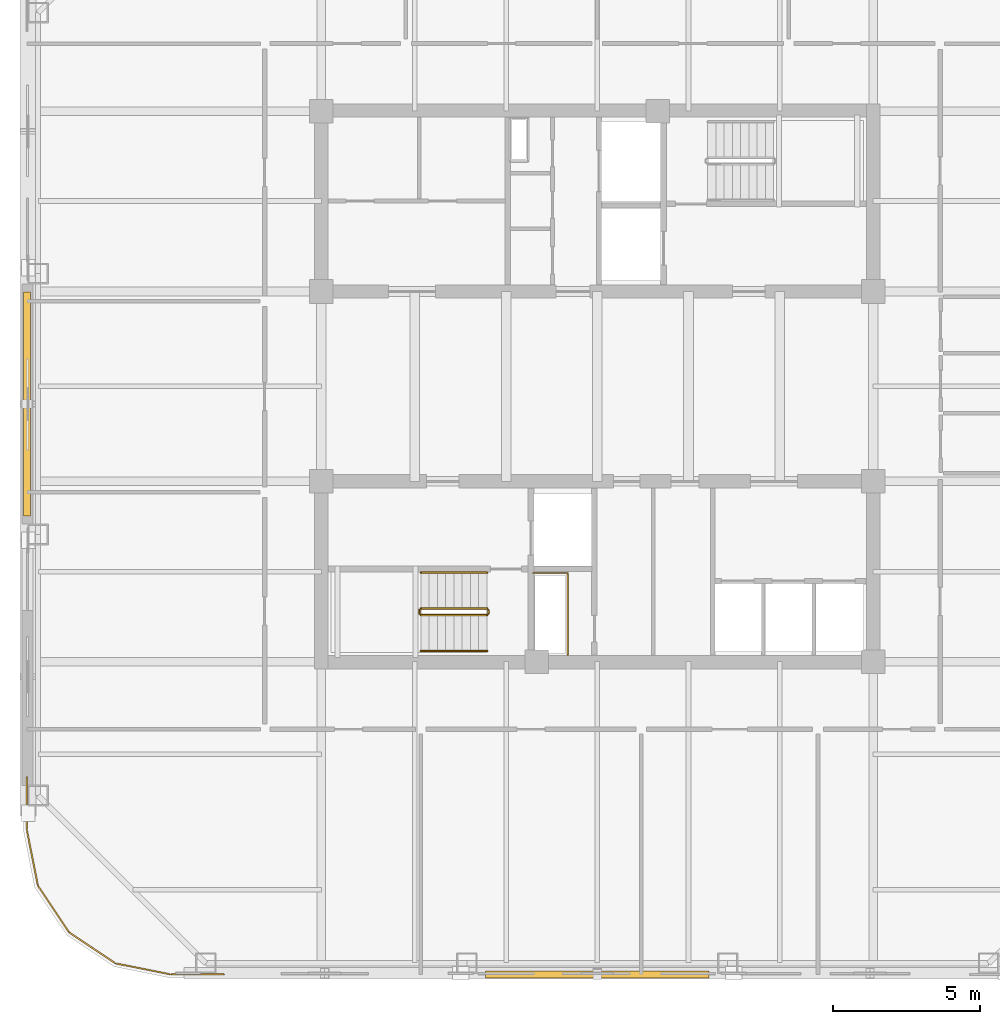
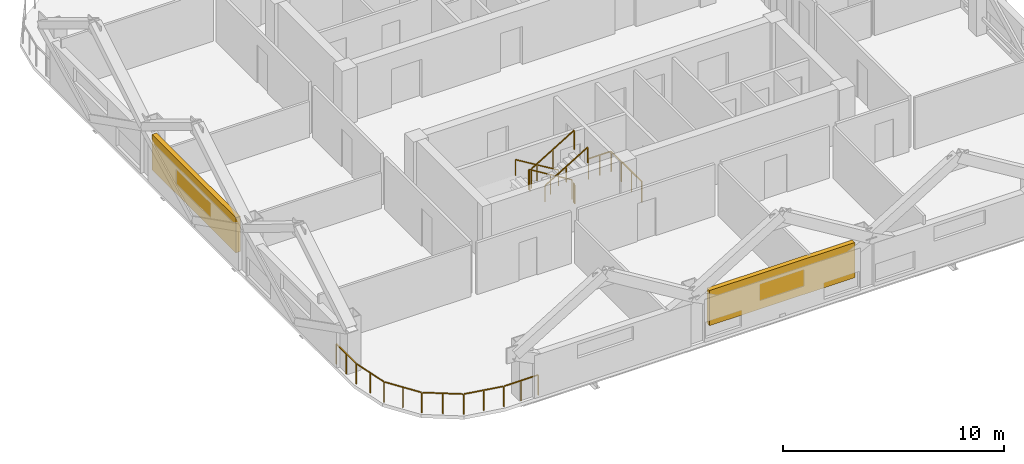
# One storey, part 7 of 9: 8 railings, 2 shading devices.
"""IFC4 building model written with IfcOpenShell, lengths in metres."""

from ifc_helpers import new_model, si_unit, direction, frame, origin, origin_2d, place, context, subcontext, project, spatial, rectangle, extrude, material, type_object, element, save


model = new_model("IFC4")

# Units and contexts
model_context = context("Model", 3, precision=1e-05, world=origin(), true_north=direction((0.0, 1.0)))
body_context = subcontext(model_context, "Body", "Model", "MODEL_VIEW")
ifc_project = project(units=[si_unit("LENGTHUNIT", "METRE"), si_unit("AREAUNIT", "SQUARE_METRE"), si_unit("VOLUMEUNIT", "CUBIC_METRE"), si_unit("PLANEANGLEUNIT", "RADIAN"), si_unit("MASSUNIT", "GRAM", prefix="KILO")], contexts=[model_context])

# Site, building, storey
site_placement = place(None, origin())
site = spatial("IfcSite", under=ifc_project, at=site_placement, CompositionType="ELEMENT")
building_placement = place(site_placement, origin())
building = spatial("IfcBuilding", under=site, at=building_placement, Name="Qhalaya Broadcast Tower", CompositionType="ELEMENT")
storey_placement = place(building_placement, frame((0.0, 0.0, 217.800048828125)))
storey = spatial("IfcBuildingStorey", under=building, at=storey_placement, Name="L64", CompositionType="ELEMENT", Elevation=217.800048828125)

# Railings
ifc_material_1 = material(Name="Powder-Coated Galvanised Steel", Category="steel")
railing_type_1 = type_object("IfcRailingType", Name="Stair Wall Handrail 900", PredefinedType="HANDRAIL", material=ifc_material_1)
railing_1_placement = place(storey_placement, frame((-3.75, -5.72998046875, 0.16943359375)))
element("IfcRailing", 1, at=railing_1_placement, inside=storey, type_object=railing_type_1, Name="L64 ST-2 Stair Handrail 1", PredefinedType="HANDRAIL", context=body_context, shape_type="SweptSolid", body=[
    extrude(rectangle(XDim=0.048095703125, YDim=0.048095703125, at=origin_2d()), frame((0.0, 0.0, 0.8759765625), z_axis=(-0.855553338991, 0.0, 0.51771467445), x_axis=(0.0, -1.0, 0.0)), (0.0, 0.0, 1.0), 2.6181640625),
    extrude(rectangle(XDim=0.0419921875, YDim=0.0419921875, at=origin_2d()), origin(), (0.0, 0.0, 1.0), 0.849853515625),
    extrude(rectangle(XDim=0.0419921875, YDim=0.0419921875, at=origin_2d()), frame((-1.1201171875, 0.0, 0.677734375)), (0.0, 0.0, 1.0), 0.849853515625),
    extrude(rectangle(XDim=0.0419921875, YDim=0.0419921875, at=origin_2d()), frame((-2.239990234375, 0.0, 1.35546875)), (0.0, 0.0, 1.0), 0.849853515625),
])
railing_2_placement = place(storey_placement, frame((-5.989990234375, -8.389892578125, 1.6943359375)))
element("IfcRailing", 2, at=railing_2_placement, inside=storey, type_object=railing_type_1, Name="L64 ST-2 Stair Handrail 2", PredefinedType="HANDRAIL", context=body_context, shape_type="SweptSolid", body=[
    extrude(rectangle(XDim=0.048095703125, YDim=0.048095703125, at=origin_2d()), frame((0.0, 0.0, 0.8759765625), z_axis=(0.855512035549, 0.0, 0.517782924622), x_axis=(0.0, 1.0, 0.0)), (0.0, 0.0, 1.0), 2.618408203125),
    extrude(rectangle(XDim=0.0419921875, YDim=0.0419921875, at=origin_2d()), origin(), (0.0, 0.0, 1.0), 0.849853515625),
    extrude(rectangle(XDim=0.0419921875, YDim=0.0419921875, at=origin_2d()), frame((1.1201171875, 0.0, 0.677734375)), (0.0, 0.0, 1.0), 0.849853515625),
    extrude(rectangle(XDim=0.0419921875, YDim=0.0419921875, at=origin_2d()), frame((2.239990234375, 0.0, 1.355712890625)), (0.0, 0.0, 1.0), 0.849853515625),
])
railing_type_2 = type_object("IfcRailingType", Name="Stair Well & Landing Guardrail 1100", PredefinedType="GUARDRAIL", material=ifc_material_1)
railing_3_placement = place(storey_placement, frame((-1.0, -8.52001953125, 0.0)))
element("IfcRailing", 3, at=railing_3_placement, inside=storey, type_object=railing_type_2, Name="L64 Service Riser Opening Safety Guard SRSR", PredefinedType="GUARDRAIL", context=body_context, shape_type="SweptSolid", body=[
    extrude(rectangle(XDim=0.048095703125, YDim=0.048095703125, at=origin_2d()), frame((0.0, 0.0, 1.1259765625), z_axis=(0.0, 1.0, 0.0), x_axis=(-1.0, 0.0, 0.0)), (0.0, 0.0, 1.0), 2.751220703125),
    extrude(rectangle(XDim=0.048095703125, YDim=0.048095703125, at=origin_2d()), frame((-0.02880859375, 2.780029296875, 1.1259765625), z_axis=(-1.0, 0.0, 0.0), x_axis=(0.0, -1.0, 0.0)), (0.0, 0.0, 1.0), 1.151123046875),
    extrude(rectangle(XDim=0.0419921875, YDim=0.0419921875, at=origin_2d()), origin(), (0.0, 0.0, 1.0), 1.099853515625),
    extrude(rectangle(XDim=0.0419921875, YDim=0.0419921875, at=origin_2d()), frame((0.0, 0.9267578125, 0.0)), (0.0, 0.0, 1.0), 1.099853515625),
    extrude(rectangle(XDim=0.0419921875, YDim=0.0419921875, at=origin_2d()), frame((0.0, 1.853271484375, 0.0)), (0.0, 0.0, 1.0), 1.099853515625),
    extrude(rectangle(XDim=0.0419921875, YDim=0.0419921875, at=origin_2d()), frame((0.0, 2.780029296875, 0.0)), (0.0, 0.0, 1.0), 1.099853515625),
    extrude(rectangle(XDim=0.0419921875, YDim=0.0419921875, at=origin_2d()), frame((-0.58984375, 2.780029296875, 0.0)), (0.0, 0.0, 1.0), 1.099853515625),
    extrude(rectangle(XDim=0.0419921875, YDim=0.0419921875, at=origin_2d()), frame((-1.179931640625, 2.780029296875, 0.0)), (0.0, 0.0, 1.0), 1.099853515625),
])
railing_4_placement = place(storey_placement, frame((-3.75, -6.949951171875, 0.16943359375)))
element("IfcRailing", 4, at=railing_4_placement, inside=storey, type_object=railing_type_2, Name="L64 ST-2 Stair Guard 1", PredefinedType="GUARDRAIL", context=body_context, shape_type="SweptSolid", body=[
    extrude(rectangle(XDim=0.048095703125, YDim=0.048095703125, at=origin_2d()), frame((0.0, 0.0, 1.076171875), z_axis=(-0.855553338991, 0.0, 0.51771467445), x_axis=(0.0, -1.0, 0.0)), (0.0, 0.0, 1.0), 2.6181640625),
    extrude(rectangle(XDim=0.0419921875, YDim=0.0419921875, at=origin_2d()), origin(), (0.0, 0.0, 1.0), 1.050048828125),
    extrude(rectangle(XDim=0.0419921875, YDim=0.0419921875, at=origin_2d()), frame((-1.1201171875, 0.0, 0.677734375)), (0.0, 0.0, 1.0), 1.050048828125),
    extrude(rectangle(XDim=0.0419921875, YDim=0.0419921875, at=origin_2d()), frame((-2.239990234375, 0.0, 1.35546875)), (0.0, 0.0, 1.0), 1.050048828125),
])
railing_5_placement = place(storey_placement, frame((-6.0400390625, -7.0, 1.52490234375)))
element("IfcRailing", 5, at=railing_5_placement, inside=storey, type_object=railing_type_2, Name="L64 ST-2 Stair Guard 2", PredefinedType="GUARDRAIL", context=body_context, shape_type="SweptSolid", body=[
    extrude(rectangle(XDim=0.048095703125, YDim=0.048095703125, at=origin_2d()), frame((0.0, 0.0, 1.076171875), z_axis=(0.0, -1.0, 0.0), x_axis=(1.0, 0.0, 0.0)), (0.0, 0.0, 1.0), 0.1201171875),
    extrude(rectangle(XDim=0.0419921875, YDim=0.0419921875, at=origin_2d()), origin(), (0.0, 0.0, 1.0), 1.050048828125),
    extrude(rectangle(XDim=0.0419921875, YDim=0.0419921875, at=origin_2d()), frame((0.0, -0.1201171875, 0.0)), (0.0, 0.0, 1.0), 1.050048828125),
])
railing_6_placement = place(storey_placement, frame((-5.989990234375, -7.169921875, 1.6943359375)))
element("IfcRailing", 6, at=railing_6_placement, inside=storey, type_object=railing_type_2, Name="L64 ST-2 Stair Guard 3", PredefinedType="GUARDRAIL", context=body_context, shape_type="SweptSolid", body=[
    extrude(rectangle(XDim=0.048095703125, YDim=0.048095703125, at=origin_2d()), frame((0.0, 0.0, 1.076171875), z_axis=(0.855512035549, 0.0, 0.517782924622), x_axis=(0.0, 1.0, 0.0)), (0.0, 0.0, 1.0), 2.618408203125),
    extrude(rectangle(XDim=0.0419921875, YDim=0.0419921875, at=origin_2d()), origin(), (0.0, 0.0, 1.0), 1.050048828125),
    extrude(rectangle(XDim=0.0419921875, YDim=0.0419921875, at=origin_2d()), frame((1.1201171875, 0.0, 0.677734375)), (0.0, 0.0, 1.0), 1.050048828125),
    extrude(rectangle(XDim=0.0419921875, YDim=0.0419921875, at=origin_2d()), frame((2.239990234375, 0.0, 1.355712890625)), (0.0, 0.0, 1.0), 1.050048828125),
])
railing_7_placement = place(storey_placement, frame((-3.699951171875, -7.0, 0.0)))
element("IfcRailing", 7, at=railing_7_placement, inside=storey, type_object=railing_type_2, Name="L64 ST-2 Stair Guard 4", PredefinedType="GUARDRAIL", context=body_context, shape_type="SweptSolid", body=[
    extrude(rectangle(XDim=0.048095703125, YDim=0.048095703125, at=origin_2d()), frame((0.0, 0.0, 1.076171875), z_axis=(0.0, -1.0, 0.0), x_axis=(1.0, 0.0, 0.0)), (0.0, 0.0, 1.0), 0.1201171875),
    extrude(rectangle(XDim=0.0419921875, YDim=0.0419921875, at=origin_2d()), origin(), (0.0, 0.0, 1.0), 1.050048828125),
    extrude(rectangle(XDim=0.0419921875, YDim=0.0419921875, at=origin_2d()), frame((0.0, -0.1201171875, 0.0)), (0.0, 0.0, 1.0), 1.050048828125),
])
railing_type_3 = type_object("IfcRailingType", Name="Terrace, Sky-Pool & Lookout Glass Balustrade 1150", PredefinedType="BALUSTRADE", material=ifc_material_1)
railing_8_placement = place(storey_placement, frame((-12.681884765625, -19.3798828125, 0.0)))
element("IfcRailing", 8, at=railing_8_placement, inside=storey, type_object=railing_type_3, Name="L64 Rounded Corner Perimeter Guard 02", PredefinedType="BALUSTRADE", context=body_context, shape_type="SweptSolid", body=[
    extrude(rectangle(XDim=0.048095703125, YDim=0.048095703125, at=origin_2d()), frame((0.0, 0.0, 1.1259765625), z_axis=(-1.0, 0.0, 0.0), x_axis=(0.0, -1.0, 0.0)), (0.0, 0.0, 1.0), 1.777587890625),
    extrude(rectangle(XDim=0.048095703125, YDim=0.048095703125, at=origin_2d()), frame((-1.834716796875, 0.005615234375, 1.1259765625), z_axis=(-0.980795810058, 0.195037378397, 0.0), x_axis=(-0.195037378397, -0.980795810058, 0.0)), (0.0, 0.0, 1.0), 1.857421875),
    extrude(rectangle(XDim=0.048095703125, YDim=0.048095703125, at=origin_2d()), frame((-3.708740234375, 0.3896484375, 1.1259765625), z_axis=(-0.831437950597, 0.555617615188, 0.0), x_axis=(-0.555617615188, -0.831437950597, 0.0)), (0.0, 0.0, 1.0), 1.845458984375),
    extrude(rectangle(XDim=0.048095703125, YDim=0.048095703125, at=origin_2d()), frame((-5.283203125, 1.454833984375, 1.1259765625), z_axis=(-0.555617615188, 0.831437950597, 0.0), x_axis=(-0.831437950597, -0.555617615188, 0.0)), (0.0, 0.0, 1.0), 1.845458984375),
    extrude(rectangle(XDim=0.048095703125, YDim=0.048095703125, at=origin_2d()), frame((-6.330078125, 3.04150390625, 1.1259765625), z_axis=(-0.195037378397, 0.980795810058, 0.0), x_axis=(-0.980795810058, -0.195037378397, 0.0)), (0.0, 0.0, 1.0), 1.857421875),
    extrude(rectangle(XDim=0.048095703125, YDim=0.048095703125, at=origin_2d()), frame((-6.697998046875, 4.92041015625, 1.1259765625), z_axis=(0.0, 1.0, 0.0), x_axis=(-1.0, 0.0, 0.0)), (0.0, 0.0, 1.0), 1.777587890625),
    extrude(rectangle(XDim=0.0419921875, YDim=0.0419921875, at=origin_2d()), origin(), (0.0, 0.0, 1.0), 1.099853515625),
    extrude(rectangle(XDim=0.0419921875, YDim=0.0419921875, at=origin_2d()), frame((-0.9033203125, 0.0, 0.0)), (0.0, 0.0, 1.0), 1.099853515625),
    extrude(rectangle(XDim=0.0419921875, YDim=0.0419921875, at=origin_2d()), frame((-1.806396484375, 0.0, 0.0)), (0.0, 0.0, 1.0), 1.099853515625),
    extrude(rectangle(XDim=0.0419921875, YDim=0.0419921875, at=origin_2d()), frame((-2.74560546875, 0.186767578125, 0.0)), (0.0, 0.0, 1.0), 1.099853515625),
    extrude(rectangle(XDim=0.0419921875, YDim=0.0419921875, at=origin_2d()), frame((-3.684814453125, 0.37353515625, 0.0)), (0.0, 0.0, 1.0), 1.099853515625),
    extrude(rectangle(XDim=0.0419921875, YDim=0.0419921875, at=origin_2d()), frame((-4.47607421875, 0.90234375, 0.0)), (0.0, 0.0, 1.0), 1.099853515625),
    extrude(rectangle(XDim=0.0419921875, YDim=0.0419921875, at=origin_2d()), frame((-5.26708984375, 1.430908203125, 0.0)), (0.0, 0.0, 1.0), 1.099853515625),
    extrude(rectangle(XDim=0.0419921875, YDim=0.0419921875, at=origin_2d()), frame((-5.7958984375, 2.22216796875, 0.0)), (0.0, 0.0, 1.0), 1.099853515625),
    extrude(rectangle(XDim=0.0419921875, YDim=0.0419921875, at=origin_2d()), frame((-6.324462890625, 3.01318359375, 0.0)), (0.0, 0.0, 1.0), 1.099853515625),
    extrude(rectangle(XDim=0.0419921875, YDim=0.0419921875, at=origin_2d()), frame((-6.51123046875, 3.952392578125, 0.0)), (0.0, 0.0, 1.0), 1.099853515625),
    extrude(rectangle(XDim=0.0419921875, YDim=0.0419921875, at=origin_2d()), frame((-6.697998046875, 4.8916015625, 0.0)), (0.0, 0.0, 1.0), 1.099853515625),
    extrude(rectangle(XDim=0.0419921875, YDim=0.0419921875, at=origin_2d()), frame((-6.697998046875, 5.794921875, 0.0)), (0.0, 0.0, 1.0), 1.099853515625),
    extrude(rectangle(XDim=0.0419921875, YDim=0.0419921875, at=origin_2d()), frame((-6.697998046875, 6.697998046875, 0.0)), (0.0, 0.0, 1.0), 1.099853515625),
])

# Shading devices
ifc_material_2 = material(Name="Fired Architectural Terracotta", Category="masonry")
shading_device_type = type_object("IfcShadingDeviceType", Name="Terracotta Baguette Solar Screen Assembly TBS-01", PredefinedType="USERDEFINED", material=ifc_material_2)
for number, where, z_axis, x_axis, name in (
    (9, (0.0, -19.3798828125, 0.80078125), (0.0, 0.0, 1.0), (1.0, 0.0, 0.0), "L64 Fired Terracotta Baguette Screen S"),
    (10, (-19.3798828125, 0.0, 0.80078125), (0.0, 0.0, 1.0), (0.0, -1.0, 0.0), "L64 Fired Terracotta Baguette Screen W"),
):
    element("IfcShadingDevice", number, at=place(storey_placement, frame(where, z_axis=z_axis, x_axis=x_axis)), inside=storey, type_object=shading_device_type, Name=name, ObjectType="BAGUETTE", PredefinedType="USERDEFINED", context=body_context, shape_type="SweptSolid", body=[
        extrude(rectangle(XDim=7.60009765625, YDim=0.239990234375, at=origin_2d()), origin(), (0.0, 0.0, 1.0), 1.945068359375),
    ])

save(model, "model.ifc")
